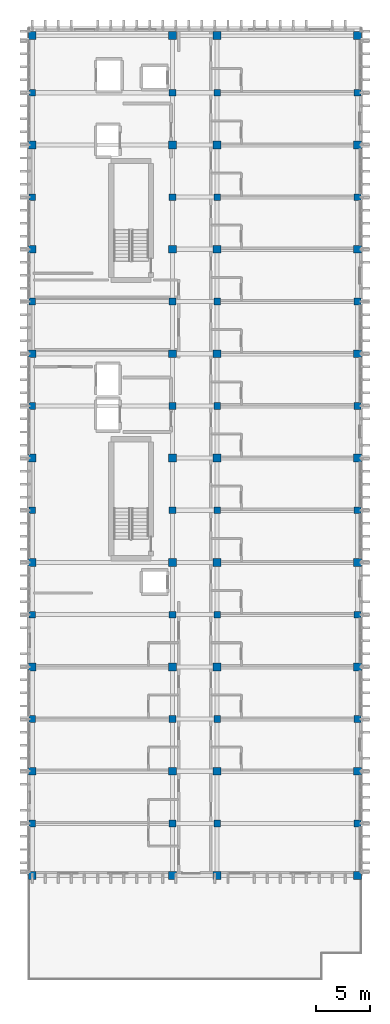
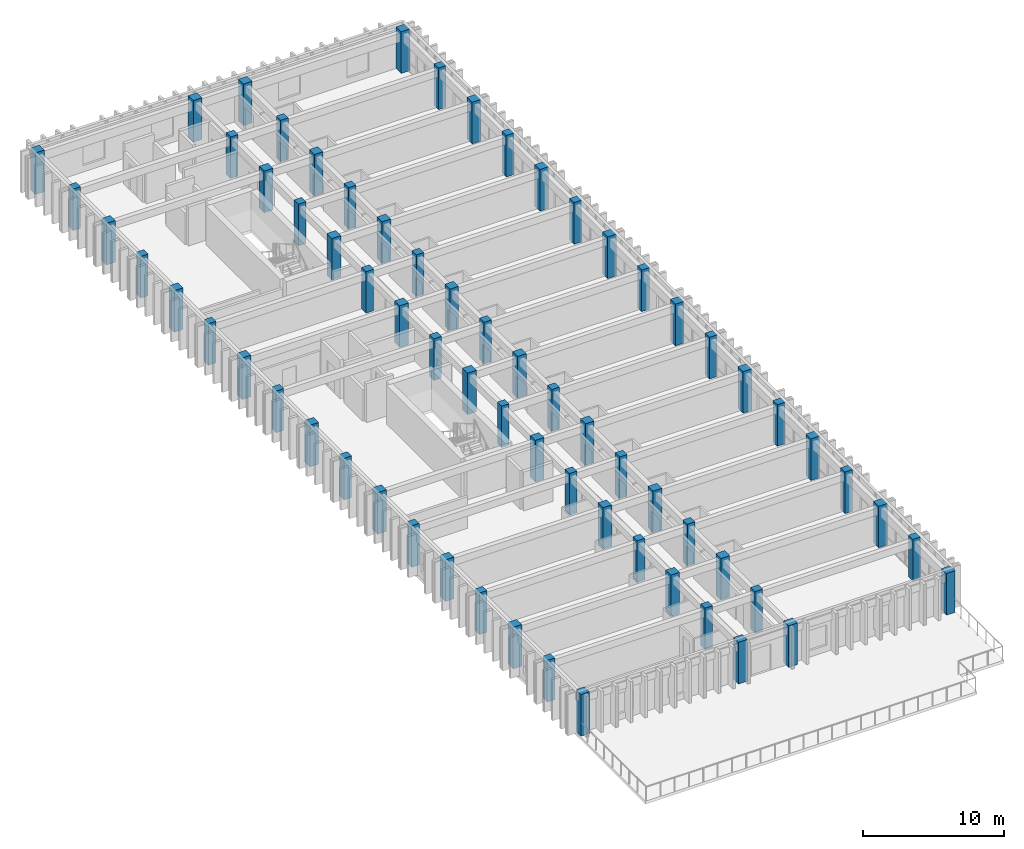
# One storey, part 1 of 59: 68 columns.
"""IFC4 building model written with IfcOpenShell, lengths in metres."""

from ifc_helpers import new_model, si_unit, direction, frame, origin, origin_2d, place, context, subcontext, project, spatial, rectangle, extrude, material, material_profile, profile_set, type_object, element, save


model = new_model("IFC4")

# Units and contexts
model_context = context("Model", 3, precision=1e-05, world=origin(), true_north=direction((0.0, 1.0)))
body_context = subcontext(model_context, "Body", "Model", "MODEL_VIEW")
ifc_project = project(units=[si_unit("LENGTHUNIT", "METRE"), si_unit("AREAUNIT", "SQUARE_METRE"), si_unit("VOLUMEUNIT", "CUBIC_METRE"), si_unit("PLANEANGLEUNIT", "RADIAN"), si_unit("MASSUNIT", "GRAM", prefix="KILO")], contexts=[model_context])

# Site, building, storey
site_placement = place(None, origin())
site = spatial("IfcSite", under=ifc_project, at=site_placement, CompositionType="ELEMENT")
building_placement = place(site_placement, origin())
building = spatial("IfcBuilding", under=site, at=building_placement, Name="Nakhvara Creek Congress Hotel", CompositionType="ELEMENT")
storey_placement = place(building_placement, frame((0.0, 0.0, 31.800048828125)))
storey = spatial("IfcBuildingStorey", under=building, at=storey_placement, Name="L07", CompositionType="ELEMENT", Elevation=31.800048828125)

# Columns
ifc_material = material(Name="Concrete C50/60", Category="concrete")
ifc_material_profile_1 = material_profile(ifc_material, rectangle(XDim=0.6201171875, YDim=0.6201171875, at=origin_2d()), Name="RC-COL 620x620", Category="LoadBearing")
ifc_profile_set_1 = profile_set([ifc_material_profile_1], Name="Concrete C50/60")
column_type_1 = type_object("IfcColumnType", Name="COL-RC-620", PredefinedType="COLUMN", material=ifc_profile_set_1)
for number, where, z_axis, x_axis, name in (
    (1, (149.449951171875, 52.800048828125, 0.0), (0.0, 0.0, 1.0), (1.0, 0.0, 0.0), "Column C22-L07-1663"),
    (2, (149.449951171875, 62.39990234375, 0.0), (0.0, 0.0, 1.0), (1.0, 0.0, 0.0), "Column C22-L07-1664"),
    (3, (149.449951171875, 72.0, 0.0), (0.0, 0.0, 1.0), (1.0, 0.0, 0.0), "Column C22-L07-1665"),
    (4, (149.449951171875, 81.60009765625, 0.0), (0.0, 0.0, 1.0), (1.0, 0.0, 0.0), "Column C22-L07-1666"),
    (5, (149.449951171875, 91.199951171875, 0.0), (0.0, 0.0, 1.0), (1.0, 0.0, 0.0), "Column C22-L07-1667"),
    (6, (149.449951171875, 100.800048828125, 0.0), (0.0, 0.0, 1.0), (1.0, 0.0, 0.0), "Column C22-L07-1668"),
    (7, (149.449951171875, 110.39990234375, 0.0), (0.0, 0.0, 1.0), (1.0, 0.0, 0.0), "Column C22-L07-1669"),
    (8, (149.449951171875, 120.0, 0.0), (0.0, 0.0, 1.0), (1.0, 0.0, 0.0), "Column C22-L07-1670"),
    (9, (162.35009765625, 52.800048828125, 0.0), (0.0, 0.0, 1.0), (1.0, 0.0, 0.0), "Column C22-L07-1671"),
    (10, (162.35009765625, 62.39990234375, 0.0), (0.0, 0.0, 1.0), (1.0, 0.0, 0.0), "Column C22-L07-1672"),
    (11, (162.35009765625, 72.0, 0.0), (0.0, 0.0, 1.0), (1.0, 0.0, 0.0), "Column C22-L07-1673"),
    (12, (162.35009765625, 81.60009765625, 0.0), (0.0, 0.0, 1.0), (1.0, 0.0, 0.0), "Column C22-L07-1674"),
    (13, (162.35009765625, 91.199951171875, 0.0), (0.0, 0.0, 1.0), (1.0, 0.0, 0.0), "Column C22-L07-1675"),
    (14, (162.35009765625, 100.800048828125, 0.0), (0.0, 0.0, 1.0), (1.0, 0.0, 0.0), "Column C22-L07-1676"),
    (15, (162.35009765625, 110.39990234375, 0.0), (0.0, 0.0, 1.0), (1.0, 0.0, 0.0), "Column C22-L07-1677"),
    (16, (162.35009765625, 120.0, 0.0), (0.0, 0.0, 1.0), (1.0, 0.0, 0.0), "Column C22-L07-1678"),
    (17, (166.449951171875, 52.800048828125, 0.0), (0.0, 0.0, 1.0), (1.0, 0.0, 0.0), "Column C22-L07-1679"),
    (18, (166.449951171875, 62.39990234375, 0.0), (0.0, 0.0, 1.0), (1.0, 0.0, 0.0), "Column C22-L07-1680"),
    (19, (166.449951171875, 72.0, 0.0), (0.0, 0.0, 1.0), (1.0, 0.0, 0.0), "Column C22-L07-1681"),
    (20, (166.449951171875, 81.60009765625, 0.0), (0.0, 0.0, 1.0), (1.0, 0.0, 0.0), "Column C22-L07-1682"),
    (21, (166.449951171875, 91.199951171875, 0.0), (0.0, 0.0, 1.0), (1.0, 0.0, 0.0), "Column C22-L07-1683"),
    (22, (166.449951171875, 100.800048828125, 0.0), (0.0, 0.0, 1.0), (1.0, 0.0, 0.0), "Column C22-L07-1684"),
    (23, (166.449951171875, 110.39990234375, 0.0), (0.0, 0.0, 1.0), (1.0, 0.0, 0.0), "Column C22-L07-1685"),
    (24, (166.449951171875, 120.0, 0.0), (0.0, 0.0, 1.0), (1.0, 0.0, 0.0), "Column C22-L07-1686"),
    (25, (179.35009765625, 52.800048828125, 0.0), (0.0, 0.0, 1.0), (1.0, 0.0, 0.0), "Column C22-L07-1687"),
    (26, (179.35009765625, 62.39990234375, 0.0), (0.0, 0.0, 1.0), (1.0, 0.0, 0.0), "Column C22-L07-1688"),
    (27, (179.35009765625, 72.0, 0.0), (0.0, 0.0, 1.0), (1.0, 0.0, 0.0), "Column C22-L07-1689"),
    (28, (179.35009765625, 81.60009765625, 0.0), (0.0, 0.0, 1.0), (1.0, 0.0, 0.0), "Column C22-L07-1690"),
    (29, (179.35009765625, 91.199951171875, 0.0), (0.0, 0.0, 1.0), (1.0, 0.0, 0.0), "Column C22-L07-1691"),
    (30, (179.35009765625, 100.800048828125, 0.0), (0.0, 0.0, 1.0), (1.0, 0.0, 0.0), "Column C22-L07-1692"),
    (31, (179.35009765625, 110.39990234375, 0.0), (0.0, 0.0, 1.0), (1.0, 0.0, 0.0), "Column C22-L07-1693"),
    (32, (179.35009765625, 120.0, 0.0), (0.0, 0.0, 1.0), (1.0, 0.0, 0.0), "Column C22-L07-1694"),
):
    element("IfcColumn", number, at=place(storey_placement, frame(where, z_axis=z_axis, x_axis=x_axis)), inside=storey, type_object=column_type_1, Name=name, PredefinedType="COLUMN", context=body_context, shape_type="SweptSolid", body=[
        extrude(rectangle(XDim=0.6201171875, YDim=0.6201171875, at=origin_2d()), origin(), (0.0, 0.0, 1.0), 3.599853515625),
    ])
ifc_material_profile_2 = material_profile(ifc_material, rectangle(XDim=0.719970703125, YDim=0.719970703125, at=origin_2d()), Name="RC-COL 720x720", Category="LoadBearing")
ifc_profile_set_2 = profile_set([ifc_material_profile_2], Name="Concrete C50/60")
column_type_2 = type_object("IfcColumnType", Name="COL-RC-720", PredefinedType="COLUMN", material=ifc_profile_set_2)
for number, where, z_axis, x_axis, name in (
    (33, (149.449951171875, 48.0, 0.0), (0.0, 0.0, 1.0), (1.0, 0.0, 0.0), "Column C20-L07-1627"),
    (34, (149.449951171875, 57.60009765625, 0.0), (0.0, 0.0, 1.0), (1.0, 0.0, 0.0), "Column C20-L07-1628"),
    (35, (149.449951171875, 67.199951171875, 0.0), (0.0, 0.0, 1.0), (1.0, 0.0, 0.0), "Column C20-L07-1629"),
    (36, (149.449951171875, 76.800048828125, 0.0), (0.0, 0.0, 1.0), (1.0, 0.0, 0.0), "Column C20-L07-1630"),
    (37, (149.449951171875, 86.39990234375, 0.0), (0.0, 0.0, 1.0), (1.0, 0.0, 0.0), "Column C20-L07-1631"),
    (38, (149.449951171875, 96.0, 0.0), (0.0, 0.0, 1.0), (1.0, 0.0, 0.0), "Column C20-L07-1632"),
    (39, (149.449951171875, 105.60009765625, 0.0), (0.0, 0.0, 1.0), (1.0, 0.0, 0.0), "Column C20-L07-1633"),
    (40, (149.449951171875, 115.199951171875, 0.0), (0.0, 0.0, 1.0), (1.0, 0.0, 0.0), "Column C20-L07-1634"),
    (41, (149.449951171875, 125.25, 0.0), (0.0, 0.0, 1.0), (1.0, 0.0, 0.0), "Column C20-L07-1635"),
    (42, (162.35009765625, 48.0, 0.0), (0.0, 0.0, 1.0), (1.0, 0.0, 0.0), "Column C20-L07-1636"),
    (43, (162.35009765625, 57.60009765625, 0.0), (0.0, 0.0, 1.0), (1.0, 0.0, 0.0), "Column C20-L07-1637"),
    (44, (162.35009765625, 67.199951171875, 0.0), (0.0, 0.0, 1.0), (1.0, 0.0, 0.0), "Column C20-L07-1638"),
    (45, (162.35009765625, 76.800048828125, 0.0), (0.0, 0.0, 1.0), (1.0, 0.0, 0.0), "Column C20-L07-1639"),
    (46, (162.35009765625, 86.39990234375, 0.0), (0.0, 0.0, 1.0), (1.0, 0.0, 0.0), "Column C20-L07-1640"),
    (47, (162.35009765625, 96.0, 0.0), (0.0, 0.0, 1.0), (1.0, 0.0, 0.0), "Column C20-L07-1641"),
    (48, (162.35009765625, 105.60009765625, 0.0), (0.0, 0.0, 1.0), (1.0, 0.0, 0.0), "Column C20-L07-1642"),
    (49, (162.35009765625, 115.199951171875, 0.0), (0.0, 0.0, 1.0), (1.0, 0.0, 0.0), "Column C20-L07-1643"),
    (50, (162.35009765625, 125.25, 0.0), (0.0, 0.0, 1.0), (1.0, 0.0, 0.0), "Column C20-L07-1644"),
    (51, (166.449951171875, 48.0, 0.0), (0.0, 0.0, 1.0), (1.0, 0.0, 0.0), "Column C20-L07-1645"),
    (52, (166.449951171875, 57.60009765625, 0.0), (0.0, 0.0, 1.0), (1.0, 0.0, 0.0), "Column C20-L07-1646"),
    (53, (166.449951171875, 67.199951171875, 0.0), (0.0, 0.0, 1.0), (1.0, 0.0, 0.0), "Column C20-L07-1647"),
    (54, (166.449951171875, 76.800048828125, 0.0), (0.0, 0.0, 1.0), (1.0, 0.0, 0.0), "Column C20-L07-1648"),
    (55, (166.449951171875, 86.39990234375, 0.0), (0.0, 0.0, 1.0), (1.0, 0.0, 0.0), "Column C20-L07-1649"),
    (56, (166.449951171875, 96.0, 0.0), (0.0, 0.0, 1.0), (1.0, 0.0, 0.0), "Column C20-L07-1650"),
    (57, (166.449951171875, 105.60009765625, 0.0), (0.0, 0.0, 1.0), (1.0, 0.0, 0.0), "Column C20-L07-1651"),
    (58, (166.449951171875, 115.199951171875, 0.0), (0.0, 0.0, 1.0), (1.0, 0.0, 0.0), "Column C20-L07-1652"),
    (59, (166.449951171875, 125.25, 0.0), (0.0, 0.0, 1.0), (1.0, 0.0, 0.0), "Column C20-L07-1653"),
    (60, (179.35009765625, 48.0, 0.0), (0.0, 0.0, 1.0), (1.0, 0.0, 0.0), "Column C20-L07-1654"),
    (61, (179.35009765625, 57.60009765625, 0.0), (0.0, 0.0, 1.0), (1.0, 0.0, 0.0), "Column C20-L07-1655"),
    (62, (179.35009765625, 67.199951171875, 0.0), (0.0, 0.0, 1.0), (1.0, 0.0, 0.0), "Column C20-L07-1656"),
    (63, (179.35009765625, 76.800048828125, 0.0), (0.0, 0.0, 1.0), (1.0, 0.0, 0.0), "Column C20-L07-1657"),
    (64, (179.35009765625, 86.39990234375, 0.0), (0.0, 0.0, 1.0), (1.0, 0.0, 0.0), "Column C20-L07-1658"),
    (65, (179.35009765625, 96.0, 0.0), (0.0, 0.0, 1.0), (1.0, 0.0, 0.0), "Column C20-L07-1659"),
    (66, (179.35009765625, 105.60009765625, 0.0), (0.0, 0.0, 1.0), (1.0, 0.0, 0.0), "Column C20-L07-1660"),
    (67, (179.35009765625, 115.199951171875, 0.0), (0.0, 0.0, 1.0), (1.0, 0.0, 0.0), "Column C20-L07-1661"),
    (68, (179.35009765625, 125.25, 0.0), (0.0, 0.0, 1.0), (1.0, 0.0, 0.0), "Column C20-L07-1662"),
):
    element("IfcColumn", number, at=place(storey_placement, frame(where, z_axis=z_axis, x_axis=x_axis)), inside=storey, type_object=column_type_2, Name=name, PredefinedType="COLUMN", context=body_context, shape_type="SweptSolid", body=[
        extrude(rectangle(XDim=0.719970703125, YDim=0.719970703125, at=origin_2d()), origin(), (0.0, 0.0, 1.0), 3.599853515625),
    ])

save(model, "model.ifc")
